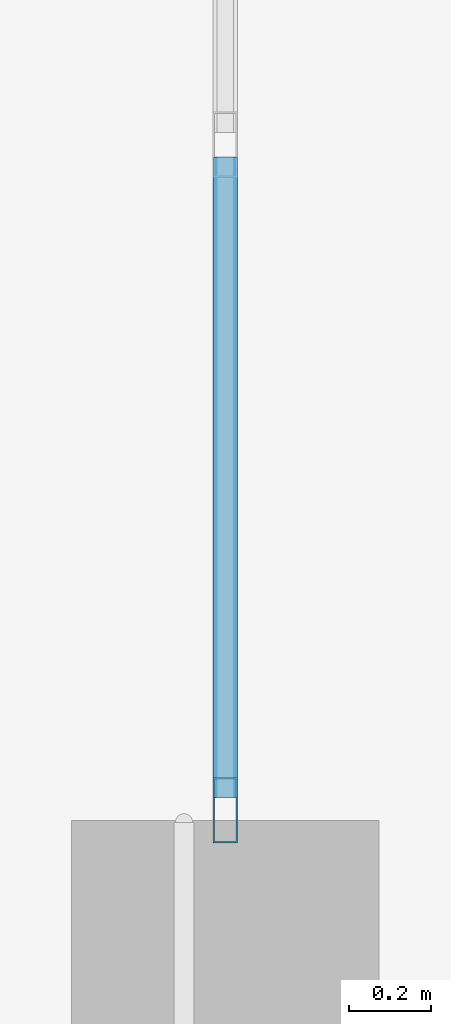
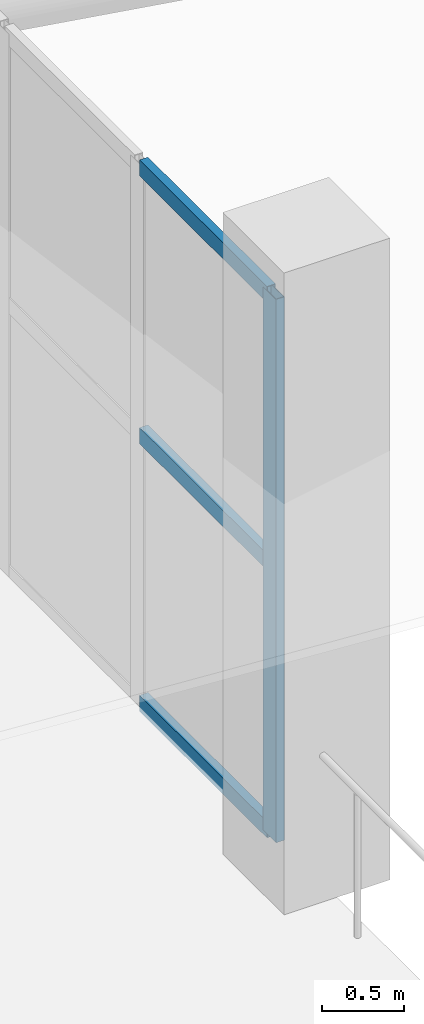
# One storey, part 37 of 167: 4 members, 1 element without a shape of its own.
"""IFC4 building model written with IfcOpenShell, lengths in metres."""

from ifc_helpers import new_model, si_unit, direction, frame, origin, origin_2d, place, context, subcontext, project, spatial, hollow_rectangle, extrude, material, layer, layer_set, material_profile, profile_set, type_object, element, aggregate, save


model = new_model("IFC4")

# Units and contexts
model_context = context("Model", 3, precision=1e-05, world=origin(), true_north=direction((0.0, 1.0)))
body_context = subcontext(model_context, "Body", "Model", "MODEL_VIEW")
ifc_project = project(units=[si_unit("LENGTHUNIT", "METRE"), si_unit("AREAUNIT", "SQUARE_METRE"), si_unit("VOLUMEUNIT", "CUBIC_METRE"), si_unit("PLANEANGLEUNIT", "RADIAN"), si_unit("MASSUNIT", "GRAM", prefix="KILO")], contexts=[model_context])

# Site, building, storey
site_placement = place(None, origin())
site = spatial("IfcSite", under=ifc_project, at=site_placement, CompositionType="ELEMENT")
building_placement = place(site_placement, origin())
building = spatial("IfcBuilding", under=site, at=building_placement, Name="Dornveld Trade and Exhibition Forum", CompositionType="ELEMENT")
storey_placement = place(building_placement, frame((0.0, 0.0, 16.800048828125)))
storey = spatial("IfcBuildingStorey", under=building, at=storey_placement, Name="L03", CompositionType="ELEMENT", Elevation=16.800048828125)

# Curtain wall, members
ifc_material_1 = material(Name="Dark-bronze anodised aluminium and low-E glass", Category="aluminium")
ifc_layer = layer(ifc_material_1, 0.172119140625)
ifc_layer_set = layer_set([ifc_layer], Name="Dark-bronze anodised aluminium and low-E glass")
curtain_wall_type = type_object("IfcCurtainWallType", Name="CW-SYS-10", PredefinedType="USERDEFINED", material=ifc_layer_set)
curtain_wall_placement = place(storey_placement, origin())
curtain_wall = element("IfcCurtainWall", 1, at=curtain_wall_placement, inside=storey, type_object=curtain_wall_type, Name="L03 unitised curtain wall 64", ObjectType="UNITISED_CURTAIN_WALL", PredefinedType="USERDEFINED")
ifc_material_2 = material(Name="Dark-bronze anodised aluminium", Category="aluminium")
ifc_material_profile_1 = material_profile(ifc_material_2, hollow_rectangle(XDim=0.06005859375, YDim=0.159912109375, WallThickness=0.00390625, at=origin_2d()), Name="RHS 160x60x4")
ifc_profile_set_1 = profile_set([ifc_material_profile_1], Name="Dark-bronze anodised aluminium")
member_type_1 = type_object("IfcMemberType", Name="CW-MUL-160", PredefinedType="MULLION", material=ifc_profile_set_1)
member_1_placement = place(storey_placement, frame((153.0, 54.40087890625, -0.004150390625), z_axis=(0.0, 0.0, 1.0), x_axis=(-1.0, 0.0, 0.0)))
member_1 = element("IfcMember", 2, at=member_1_placement, type_object=member_type_1, Name="CW-10 mullion 1", PredefinedType="MULLION", context=body_context, shape_type="SweptSolid", body=[
    extrude(hollow_rectangle(XDim=0.06005859375, YDim=0.159912109375, WallThickness=0.00390625, at=origin_2d()), origin(), (0.0, 0.0, 1.0), 4.064208984375),
])
ifc_material_3 = material(Name="Dark-bronze anodised aluminium", Category="aluminium")
ifc_material_profile_2 = material_profile(ifc_material_3, hollow_rectangle(XDim=0.06005859375, YDim=0.1201171875, WallThickness=0.00390625, at=origin_2d()), Name="RHS 120x60x4")
ifc_profile_set_2 = profile_set([ifc_material_profile_2], Name="Dark-bronze anodised aluminium")
member_type_2 = type_object("IfcMemberType", Name="CW-TRN-120", PredefinedType="USERDEFINED", material=ifc_profile_set_2)
member_2_placement = place(storey_placement, frame((153.0, 54.430908203125, 0.02587890625), z_axis=(0.0, 1.0, 0.0), x_axis=(-1.0, 0.0, 0.0)))
member_2 = element("IfcMember", 3, at=member_2_placement, type_object=member_type_2, Name="CW-10 transom 1.1", ObjectType="TRANSOM", PredefinedType="USERDEFINED", context=body_context, shape_type="SweptSolid", body=[
    extrude(hollow_rectangle(XDim=0.06005859375, YDim=0.1201171875, WallThickness=0.00390625, at=origin_2d()), origin(), (0.0, 0.0, 1.0), 1.561767578125),
])
member_3_placement = place(storey_placement, frame((153.0, 54.430908203125, 2.02783203125), z_axis=(0.0, 1.0, 0.0), x_axis=(-1.0, 0.0, 0.0)))
member_3 = element("IfcMember", 4, at=member_3_placement, type_object=member_type_2, Name="CW-10 transom 1.2", ObjectType="TRANSOM", PredefinedType="USERDEFINED", context=body_context, shape_type="SweptSolid", body=[
    extrude(hollow_rectangle(XDim=0.06005859375, YDim=0.1201171875, WallThickness=0.00390625, at=origin_2d()), origin(), (0.0, 0.0, 1.0), 1.561767578125),
])
member_4_placement = place(storey_placement, frame((153.0, 54.430908203125, 4.030029296875), z_axis=(0.0, 1.0, 0.0), x_axis=(-1.0, 0.0, 0.0)))
member_4 = element("IfcMember", 5, at=member_4_placement, type_object=member_type_2, Name="CW-10 transom 1.3", ObjectType="TRANSOM", PredefinedType="USERDEFINED", context=body_context, shape_type="SweptSolid", body=[
    extrude(hollow_rectangle(XDim=0.06005859375, YDim=0.1201171875, WallThickness=0.00390625, at=origin_2d()), origin(), (0.0, 0.0, 1.0), 1.561767578125),
])
aggregate(curtain_wall, [member_1, member_2, member_3, member_4])

save(model, "model.ifc")
